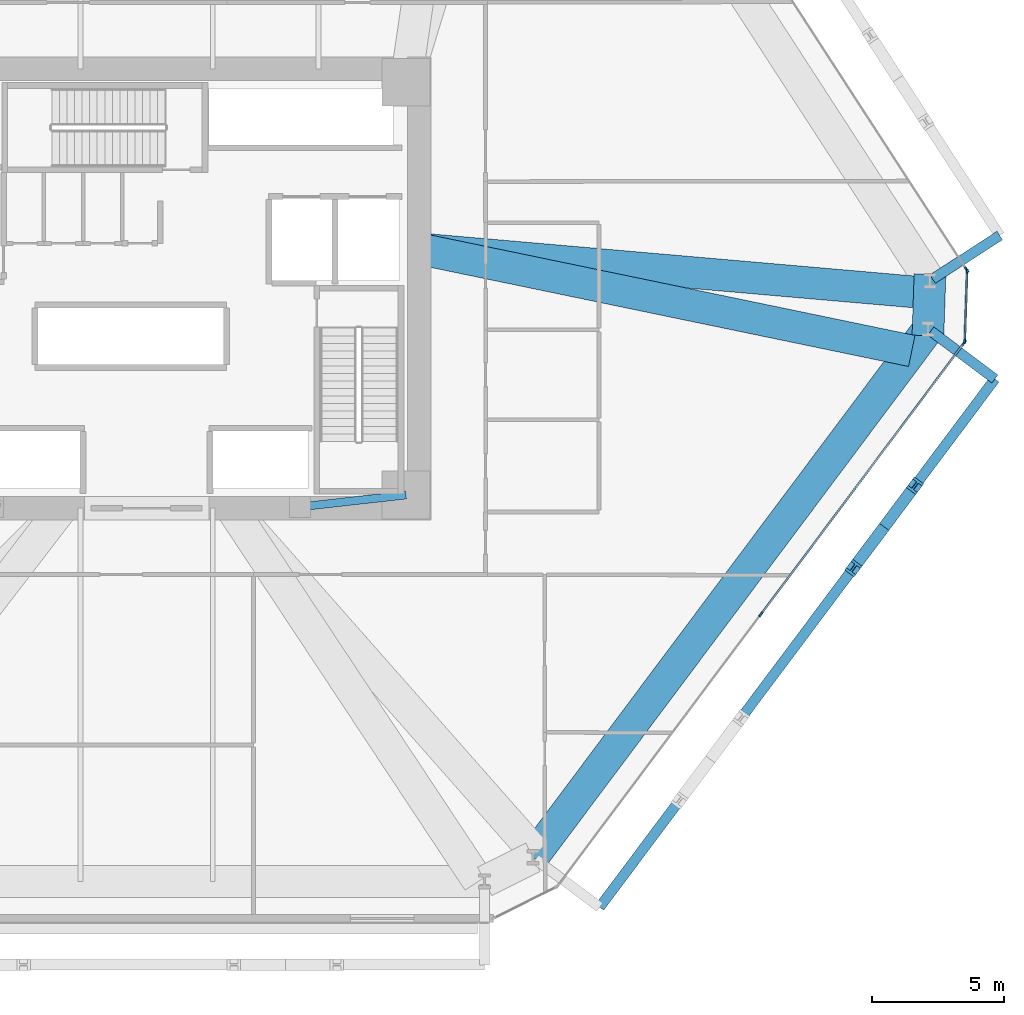
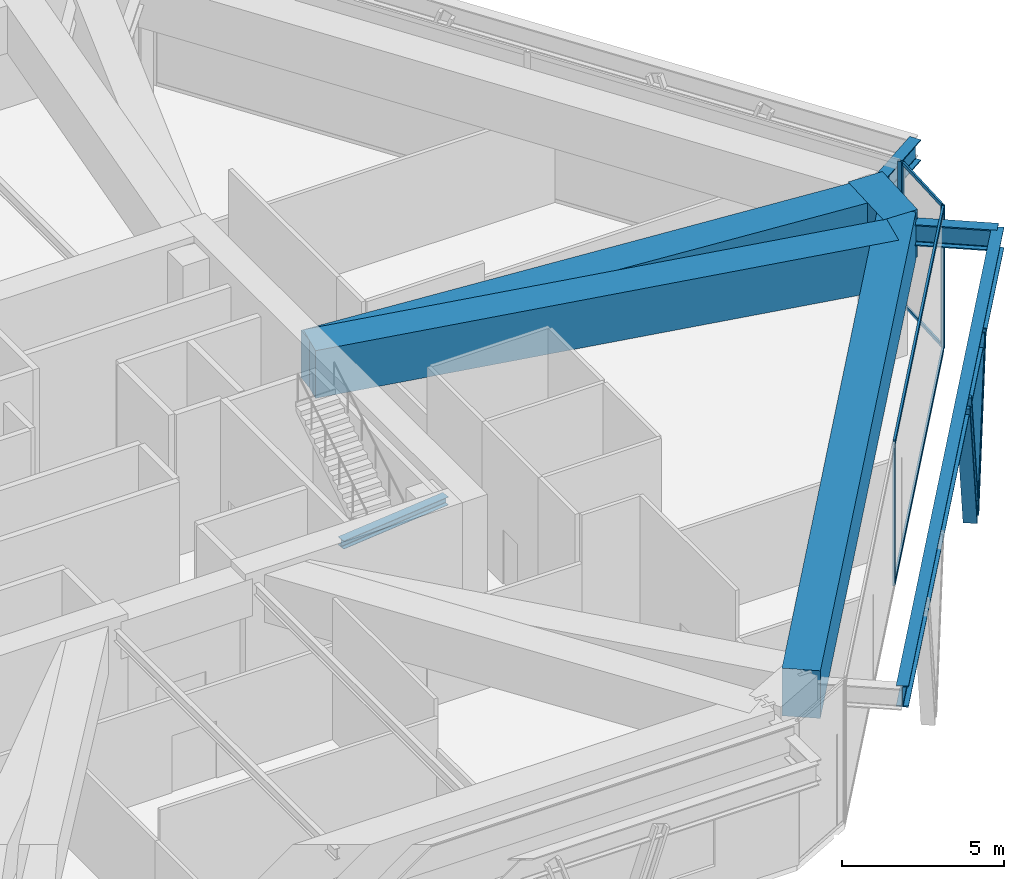
# One storey, part 6 of 19: 11 members, 8 beams, 3 elements without a shape of their own.
"""IFC4 building model written with IfcOpenShell, lengths in metres."""

import ifcopenshell
import ifcopenshell.guid

model = None  # the IFC model being written
_history = None  # IfcOwnerHistory: only IFC2X3 demands one
_inside = {}  # id of a spatial element -> (the spatial element, [elements in it])
_under = {}  # id of a project, library or spatial element -> (it, [spatial elements below it])
_declared = {}  # id of a project -> (the project, [libraries it declares])
_typed = {}  # id of a type object -> (the type object, [elements of that type])
_made_of = {}  # id of a material, layer set ... -> (it, [elements and type objects made of it])


def new_model(schema):
    """Start an empty IFC model of exactly this schema.

    Asked for "IFC4X3", IfcOpenShell would pick the latest addendum, in which some entities
    have other attributes; the version numbers below select the first issue.
    IFC2X3 requires an IfcOwnerHistory on every rooted entity: one is made here for all.
    """
    global model, _history
    if schema == "IFC4X3":
        model = ifcopenshell.file(schema_version=(4, 3, 0, 0))
    else:
        model = ifcopenshell.file(schema=schema)
    _inside.clear()
    _under.clear()
    _declared.clear()
    _typed.clear()
    _made_of.clear()
    _history = None
    if model.schema == "IFC2X3":
        org = make("IfcOrganization", Name="unknown")
        user = make(
            "IfcPersonAndOrganization",
            ThePerson=make("IfcPerson", FamilyName="unknown"),
            TheOrganization=org,
        )
        app = make(
            "IfcApplication",
            ApplicationDeveloper=org,
            Version="unknown",
            ApplicationFullName="unknown",
            ApplicationIdentifier="unknown",
        )
        _history = make(
            "IfcOwnerHistory",
            OwningUser=user,
            OwningApplication=app,
            ChangeAction="ADDED",
            CreationDate=0,
        )
    return model


def make(cls, **values):
    """One entity of the class cls with the attributes given. An attribute that is None is left unset."""
    return model.create_entity(
        cls, **{name: value for name, value in values.items() if value is not None}
    )


def rooted(cls, **values):
    """An entity with a GlobalId (a new one), such as an element, a storey or a relation."""
    return make(cls, GlobalId=ifcopenshell.guid.new(), OwnerHistory=_history, **values)


def si_unit(unit_type, name, prefix=None):
    """IfcSIUnit, for example si_unit("LENGTHUNIT", "METRE", prefix="MILLI")."""
    return make("IfcSIUnit", UnitType=unit_type, Prefix=prefix, Name=name)


def assignment(units):
    """IfcUnitAssignment: the units of a project."""
    return None if units is None else make("IfcUnitAssignment", Units=units)


def point(xyz):
    """IfcCartesianPoint."""
    return None if xyz is None else make("IfcCartesianPoint", Coordinates=xyz)


def direction(xyz):
    """IfcDirection."""
    return None if xyz is None else make("IfcDirection", DirectionRatios=xyz)


def frame(location, z_axis=None, x_axis=None):
    """IfcAxis2Placement3D, a coordinate frame: its origin and axes. An axis left out is left unset."""
    return make(
        "IfcAxis2Placement3D",
        Location=point(location),
        Axis=direction(z_axis),
        RefDirection=direction(x_axis),
    )


def frame_2d(location, x_axis=None):
    """IfcAxis2Placement2D, a coordinate frame in the plane: its origin and x axis."""
    return make(
        "IfcAxis2Placement2D", Location=point(location), RefDirection=direction(x_axis)
    )


def origin():
    """The frame at (0, 0, 0) with its axes left unset."""
    return frame((0.0, 0.0, 0.0))


def origin_2d():
    """The frame at (0, 0) in the plane with its x axis left unset."""
    return frame_2d((0.0, 0.0))


def place(relative_to, where):
    """IfcLocalPlacement: puts the frame where relative to a parent placement (None: the world)."""
    return make(
        "IfcLocalPlacement", PlacementRelTo=relative_to, RelativePlacement=where
    )


def context(
    kind, dimensions, precision=None, world=None, true_north=None, identifier=None
):
    """IfcGeometricRepresentationContext, for example the 3D "Model" context."""
    return make(
        "IfcGeometricRepresentationContext",
        ContextIdentifier=identifier,
        ContextType=kind,
        CoordinateSpaceDimension=dimensions,
        Precision=precision,
        WorldCoordinateSystem=world,
        TrueNorth=true_north,
    )


def subcontext(parent, identifier, kind, view, scale=None):
    """IfcGeometricRepresentationSubContext, for example "Body" below "Model"."""
    return make(
        "IfcGeometricRepresentationSubContext",
        ContextIdentifier=identifier,
        ContextType=kind,
        ParentContext=parent,
        TargetScale=scale,
        TargetView=view,
    )


def project(units=None, contexts=None):
    """IfcProject with its units and contexts."""
    return rooted(
        "IfcProject",
        Name="project",
        RepresentationContexts=contexts,
        UnitsInContext=assignment(units),
    )


def spatial(cls, under=None, at=None, **own):
    """A site, building, storey or space (cls), placed at a placement, below another one or the project."""
    s = rooted(cls, ObjectPlacement=at, **own)
    if under is not None:
        _under.setdefault(under.id(), (under, []))[1].append(s)
    return s


def profile(cls, at=None, kind="AREA", **sizes):
    """A parametric profile (cls). Its sizes go by their IFC names, for example OverallWidth=200.0."""
    return make(cls, ProfileType=kind, Position=at, **sizes)


def rectangle(**sizes):
    """IfcRectangleProfileDef."""
    return profile("IfcRectangleProfileDef", **sizes)


def i_section(**sizes):
    """IfcIShapeProfileDef."""
    return profile("IfcIShapeProfileDef", **sizes)


def extrude(swept, where, along, depth):
    """IfcExtrudedAreaSolid: the profile swept, set in the frame where, extruded along a direction by depth."""
    return make(
        "IfcExtrudedAreaSolid",
        SweptArea=swept,
        Position=where,
        ExtrudedDirection=direction(along),
        Depth=depth,
    )


def shape(context_of_items, identifier, shape_type, items):
    """IfcShapeRepresentation: the items that make up one representation, for example the "Body"."""
    return make(
        "IfcShapeRepresentation",
        ContextOfItems=context_of_items,
        RepresentationIdentifier=identifier,
        RepresentationType=shape_type,
        Items=items,
    )


def source(mapping_origin, context_of_items, identifier, shape_type, items):
    """IfcRepresentationMap: a shape defined once, which mapped items show again and again."""
    return make(
        "IfcRepresentationMap",
        MappingOrigin=mapping_origin,
        MappedRepresentation=shape(context_of_items, identifier, shape_type, items),
    )


def transform(
    local_origin,
    x_axis=None,
    y_axis=None,
    z_axis=None,
    scale=None,
    scale2=None,
    scale3=None,
    uniform=True,
):
    """IfcCartesianTransformationOperator3D, or its non-uniform kind. x_axis, y_axis, z_axis: its Axis1, 2, 3."""
    if uniform:
        return make(
            "IfcCartesianTransformationOperator3D",
            Axis1=direction(x_axis),
            Axis2=direction(y_axis),
            LocalOrigin=point(local_origin),
            Scale=scale,
            Axis3=direction(z_axis),
        )
    return make(
        "IfcCartesianTransformationOperator3DnonUniform",
        Axis1=direction(x_axis),
        Axis2=direction(y_axis),
        LocalOrigin=point(local_origin),
        Scale=scale,
        Axis3=direction(z_axis),
        Scale2=scale2,
        Scale3=scale3,
    )


def mapped(mapping_source, mapping_target):
    """IfcMappedItem: shows the shape of a source again, moved by a transform."""
    return make(
        "IfcMappedItem", MappingSource=mapping_source, MappingTarget=mapping_target
    )


def material(Name=None, Category=None):
    """IfcMaterial."""
    return make("IfcMaterial", Name=Name, Category=Category)


def layer(
    of_material, thickness, ventilated=None, Name=None, Category=None, Priority=None
):
    """IfcMaterialLayer: one layer of a wall or slab, of a material (None: an air gap)."""
    return make(
        "IfcMaterialLayer",
        Material=of_material,
        LayerThickness=thickness,
        IsVentilated=ventilated,
        Name=Name,
        Category=Category,
        Priority=Priority,
    )


def layer_set(layers, Name=None):
    """IfcMaterialLayerSet."""
    return make("IfcMaterialLayerSet", MaterialLayers=layers, LayerSetName=Name)


def material_profile(
    of_material, cross_section, Name=None, Category=None, Priority=None
):
    """IfcMaterialProfile: a cross section and its material."""
    return make(
        "IfcMaterialProfile",
        Name=Name,
        Material=of_material,
        Profile=cross_section,
        Priority=Priority,
        Category=Category,
    )


def profile_set(profiles, Name=None, composite=None):
    """IfcMaterialProfileSet."""
    return make(
        "IfcMaterialProfileSet",
        Name=Name,
        MaterialProfiles=profiles,
        CompositeProfile=composite,
    )


def made_of(thing, what):
    """Note that an element or type object is made of a material, layer set ...; save() writes the relation."""
    if what is not None:
        _made_of.setdefault(what.id(), (what, []))[1].append(thing)
    return thing


def type_object(cls, material=None, **own):
    """A type object (cls), such as IfcWallType, which elements share."""
    return made_of(rooted(cls, **own), material)


def type_shapes(of_type, sources):
    """Give a type object the sources (RepresentationMaps) that its elements show as mapped items."""
    of_type.RepresentationMaps = sources


def element(
    cls,
    number,
    at=None,
    inside=None,
    cuts=None,
    type_object=None,
    material=None,
    context=None,
    identifier="Body",
    shape_type=None,
    held_by="IfcProductDefinitionShape",
    body=None,
    shapes=None,
    **own,
):
    """One element of the class cls, such as IfcWall. Its Tag is "e" and its number.

    at: its placement. inside: the storey or other place that contains it. cuts: it is an
    opening in that element (IfcRelVoidsElement). A single representation is given by context,
    identifier, shape_type and body (its items); several are given by shapes. held_by: the class
    of the entity that holds the representations. save() writes the other relations.
    """
    e = rooted(cls, Tag="e%d" % number, ObjectPlacement=at, **own)
    if body is not None:
        shapes = [shape(context, identifier, shape_type, body)]
    if shapes is not None:
        e.Representation = make(held_by, Representations=shapes)
    if inside is not None:
        _inside.setdefault(inside.id(), (inside, []))[1].append(e)
    if cuts is not None:
        rooted(
            "IfcRelVoidsElement", RelatingBuildingElement=cuts, RelatedOpeningElement=e
        )
    if type_object is not None:
        _typed.setdefault(type_object.id(), (type_object, []))[1].append(e)
    return made_of(e, material)


def aggregate(whole, parts):
    """IfcRelAggregates: a whole, such as a stair, and the parts it consists of."""
    return rooted("IfcRelAggregates", RelatingObject=whole, RelatedObjects=parts)


def save(model, path):
    """Write the relations noted so far, then the file.

    IfcRelAggregates (storeys below a building ...), IfcRelContainedInSpatialStructure (elements
    in a storey), IfcRelDefinesByType, IfcRelAssociatesMaterial and IfcRelDeclares: one each for
    every whole, place, type object, material and project.
    """
    for whole, parts in _under.values():
        aggregate(whole, parts)
    for where, things in _inside.values():
        rooted(
            "IfcRelContainedInSpatialStructure",
            RelatedElements=things,
            RelatingStructure=where,
        )
    for kind, things in _typed.values():
        rooted("IfcRelDefinesByType", RelatedObjects=things, RelatingType=kind)
    for what, things in _made_of.values():
        rooted("IfcRelAssociatesMaterial", RelatedObjects=things, RelatingMaterial=what)
    for by, libraries in _declared.values():
        rooted("IfcRelDeclares", RelatingContext=by, RelatedDefinitions=libraries)
    model.write(path)


model = new_model("IFC4")

# Units and contexts
model_context = context("Model", 3, precision=1e-05, world=origin(), true_north=direction((0.0, 1.0)))
body_context = subcontext(model_context, "Body", "Model", "MODEL_VIEW")
ifc_project = project(units=[si_unit("LENGTHUNIT", "METRE"), si_unit("AREAUNIT", "SQUARE_METRE"), si_unit("VOLUMEUNIT", "CUBIC_METRE"), si_unit("PLANEANGLEUNIT", "RADIAN"), si_unit("MASSUNIT", "GRAM", prefix="KILO")], contexts=[model_context])

# Site, building, storey
site_placement = place(None, origin())
site = spatial("IfcSite", under=ifc_project, at=site_placement, CompositionType="ELEMENT")
building_placement = place(site_placement, origin())
building = spatial("IfcBuilding", under=site, at=building_placement, Name="Durnholm Broadcast Tower", CompositionType="ELEMENT")
storey_placement = place(building_placement, frame((0.0, 0.0, 26.800048828125)))
storey = spatial("IfcBuildingStorey", under=building, at=storey_placement, Name="L05", CompositionType="ELEMENT", Elevation=26.800048828125)

# Beams
ifc_material_1 = material(Name="Steel ASTM A992 Grade 50", Category="steel")
ifc_material_profile_1 = material_profile(ifc_material_1, i_section(OverallWidth=0.3046875, OverallDepth=0.307861328125, WebThickness=0.010009765625, FlangeThickness=0.015380859375, FilletRadius=0.019287109375, at=origin_2d()), Name="W12X65")
ifc_profile_set_1 = profile_set([ifc_material_profile_1], Name="Steel ASTM A992 Grade 50")
beam_type_1 = type_object("IfcBeamType", Name="STL-BL-W12X65", PredefinedType="LINTEL", material=ifc_profile_set_1)
shared_shape_1 = source(origin(), body_context, "Body", "SweptSolid", [
    extrude(i_section(OverallWidth=0.3046875, OverallDepth=0.307861328125, WebThickness=0.010009765625, FlangeThickness=0.015380859375, FilletRadius=0.019287109375, at=origin_2d()), origin(), (0.0, 0.0, 1.0), 4.025146484375),
])
type_shapes(beam_type_1, [shared_shape_1])
beam_1_placement = place(storey_placement, frame((9.800048828125, -7.800048828125, 5.191162109375), z_axis=(-0.993732663715, -0.111782794142, 0.0), x_axis=(0.111782794142, -0.993732663715, 0.0)))
element("IfcBeam", 1, at=beam_1_placement, inside=storey, type_object=beam_type_1, Name="L05 east pilaster tie lintel", PredefinedType="LINTEL", context=body_context, shape_type="MappedRepresentation", body=[
    mapped(shared_shape_1, transform((0.0, 0.0, 0.0), x_axis=(1.0, 0.0, 0.0), y_axis=(0.0, 1.0, 0.0), z_axis=(0.0, 0.0, 1.0), scale=1.0)),
])
ifc_material_profile_2 = material_profile(ifc_material_1, i_section(OverallWidth=0.385009765625, OverallDepth=0.802978515625, WebThickness=0.023681640625, FlangeThickness=0.0419921875, FilletRadius=0.032958984375, at=origin_2d()), Name="W30X261")
ifc_profile_set_2 = profile_set([ifc_material_profile_2], Name="Steel ASTM A992 Grade 50")
beam_type_2 = type_object("IfcBeamType", Name="BM-EXO-TIE", PredefinedType="USERDEFINED", material=ifc_profile_set_2)
shared_shape_2 = source(origin(), body_context, "Body", "SweptSolid", [
    extrude(i_section(OverallWidth=0.385009765625, OverallDepth=0.802978515625, WebThickness=0.023681640625, FlangeThickness=0.0419921875, FilletRadius=0.032958984375, at=origin_2d()), origin(), (0.0, 0.0, 1.0), 3.024169921875),
])
beam_2_placement = place(storey_placement, frame((29.63037109375, -1.60595703125, 4.6083984375), z_axis=(0.800609912919, -0.599185920509, 0.0), x_axis=(0.599185920509, 0.800609912919, 0.0)))
element("IfcBeam", 2, at=beam_2_placement, inside=storey, type_object=beam_type_2, Name="L05 exoskeleton stand-off tie bracket F2.2", ObjectType="GIRDER", PredefinedType="USERDEFINED", context=body_context, shape_type="MappedRepresentation", body=[
    mapped(shared_shape_2, transform((0.0, 0.0, 0.0), x_axis=(1.0, 0.0, 0.0), y_axis=(0.0, 1.0, 0.0), z_axis=(0.0, 0.0, 1.0), scale=1.0)),
])
shared_shape_3 = source(origin(), body_context, "Body", "SweptSolid", [
    extrude(i_section(OverallWidth=0.385009765625, OverallDepth=0.802978515625, WebThickness=0.023681640625, FlangeThickness=0.0419921875, FilletRadius=0.032958984375, at=origin_2d()), origin(), (0.0, 0.0, 1.0), 24.9267578125),
])
beam_3_placement = place(storey_placement, frame((17.116455078125, -23.375, 4.6083984375), z_axis=(0.599159705628, 0.800629531776, 0.0), x_axis=(-0.800629531776, 0.599159705628, 0.0)))
element("IfcBeam", 3, at=beam_3_placement, inside=storey, type_object=beam_type_2, Name="L05 exoskeleton collector spandrel F2", PredefinedType="SPANDREL", context=body_context, shape_type="MappedRepresentation", body=[
    mapped(shared_shape_3, transform((0.0, 0.0, 0.0), x_axis=(1.0, 0.0, 0.0), y_axis=(0.0, 1.0, 0.0), z_axis=(0.0, 0.0, 1.0), scale=1.0)),
])
shared_shape_4 = source(origin(), body_context, "Body", "SweptSolid", [
    extrude(i_section(OverallWidth=0.385009765625, OverallDepth=0.802978515625, WebThickness=0.023681640625, FlangeThickness=0.0419921875, FilletRadius=0.032958984375, at=origin_2d()), origin(), (0.0, 0.0, 1.0), 3.02392578125),
])
type_shapes(beam_type_2, [shared_shape_2, shared_shape_3, shared_shape_4])
beam_4_placement = place(storey_placement, frame((29.6962890625, 0.357177734375, 4.6083984375), z_axis=(0.838989179675, 0.544148101521, 0.0), x_axis=(-0.544148101521, 0.838989179675, 0.0)))
element("IfcBeam", 4, at=beam_4_placement, inside=storey, type_object=beam_type_2, Name="L05 exoskeleton stand-off tie bracket F3.1", ObjectType="GIRDER", PredefinedType="USERDEFINED", context=body_context, shape_type="MappedRepresentation", body=[
    mapped(shared_shape_4, transform((0.0, 0.0, 0.0), x_axis=(1.0, 0.0, 0.0), y_axis=(0.0, 1.0, 0.0), z_axis=(0.0, 0.0, 1.0), scale=1.0)),
])
ifc_material_2 = material(Name="Concrete C70/85", Category="concrete")
ifc_material_profile_3 = material_profile(ifc_material_2, rectangle(XDim=1.199951171875, YDim=1.800048828125, at=origin_2d()), Name="RC1200X1800")
ifc_profile_set_3 = profile_set([ifc_material_profile_3], Name="Concrete C70/85")
beam_type_3 = type_object("IfcBeamType", Name="BM-TG-RC1800", PredefinedType="USERDEFINED", material=ifc_profile_set_3)
shared_shape_5 = source(origin(), body_context, "Body", "SweptSolid", [
    extrude(rectangle(XDim=1.199951171875, YDim=1.800048828125, at=origin_2d()), origin(), (0.0, 0.0, 1.0), 2.3203125),
])
beam_5_placement = place(storey_placement, frame((29.598876953125, 0.53857421875, 4.4599609375), z_axis=(-0.033563561491, -0.999436584952, 0.0), x_axis=(0.999436584952, -0.033563561491, 0.0)))
element("IfcBeam", 5, at=beam_5_placement, inside=storey, type_object=beam_type_3, Name="L05 perimeter transfer spandrel girder 08", PredefinedType="SPANDREL", context=body_context, shape_type="MappedRepresentation", body=[
    mapped(shared_shape_5, transform((0.0, 0.0, 0.0), x_axis=(1.0, 0.0, 0.0), y_axis=(0.0, 1.0, 0.0), z_axis=(0.0, 0.0, 1.0), scale=1.0)),
])
shared_shape_6 = source(origin(), body_context, "Body", "SweptSolid", [
    extrude(rectangle(XDim=1.199951171875, YDim=1.800048828125, at=origin_2d()), origin(), (0.0, 0.0, 1.0), 24.926513671875),
])
beam_6_placement = place(storey_placement, frame((29.529296875, -1.530517578125, 4.4599609375), z_axis=(-0.599153427318, -0.800634230178, 0.0), x_axis=(0.800634230178, -0.599153427318, 0.0)))
element("IfcBeam", 6, at=beam_6_placement, inside=storey, type_object=beam_type_3, Name="L05 perimeter transfer spandrel girder 09", PredefinedType="SPANDREL", context=body_context, shape_type="MappedRepresentation", body=[
    mapped(shared_shape_6, transform((0.0, 0.0, 0.0), x_axis=(1.0, 0.0, 0.0), y_axis=(0.0, 1.0, 0.0), z_axis=(0.0, 0.0, 1.0), scale=1.0)),
])
shared_shape_7 = source(origin(), body_context, "Body", "SweptSolid", [
    extrude(rectangle(XDim=1.199951171875, YDim=1.800048828125, at=origin_2d()), origin(), (0.0, 0.0, 1.0), 19.347412109375),
])
beam_7_placement = place(storey_placement, frame((10.300048828125, 1.5, 4.4599609375), z_axis=(0.996234193269, -0.0867031266, 0.0), x_axis=(0.0867031266, 0.996234193269, 0.0)))
element("IfcBeam", 7, at=beam_7_placement, inside=storey, type_object=beam_type_3, Name="L05 radial setback transfer girder 08", ObjectType="GIRDER", PredefinedType="USERDEFINED", context=body_context, shape_type="MappedRepresentation", body=[
    mapped(shared_shape_7, transform((0.0, 0.0, 0.0), x_axis=(1.0, 0.0, 0.0), y_axis=(0.0, 1.0, 0.0), z_axis=(0.0, 0.0, 1.0), scale=1.0)),
])
shared_shape_8 = source(origin(), body_context, "Body", "SweptSolid", [
    extrude(rectangle(XDim=1.199951171875, YDim=1.800048828125, at=origin_2d()), origin(), (0.0, 0.0, 1.0), 19.005859375),
])
type_shapes(beam_type_3, [shared_shape_5, shared_shape_6, shared_shape_7, shared_shape_8])
beam_8_placement = place(storey_placement, frame((10.300048828125, 1.5, 4.4599609375), z_axis=(0.979181602162, -0.202986181765, 0.0), x_axis=(0.202986181765, 0.979181602162, 0.0)))
element("IfcBeam", 8, at=beam_8_placement, inside=storey, type_object=beam_type_3, Name="L05 radial setback transfer girder 09", ObjectType="GIRDER", PredefinedType="USERDEFINED", context=body_context, shape_type="MappedRepresentation", body=[
    mapped(shared_shape_8, transform((0.0, 0.0, 0.0), x_axis=(1.0, 0.0, 0.0), y_axis=(0.0, 1.0, 0.0), z_axis=(0.0, 0.0, 1.0), scale=1.0)),
])

# Members
ifc_material_3 = material(Name="Steel ASTM A913 Grade 65", Category="steel")
ifc_material_profile_4 = material_profile(ifc_material_3, i_section(OverallWidth=0.44189453125, OverallDepth=0.531494140625, WebThickness=0.06591796875, FlangeThickness=0.105712890625, FilletRadius=0.030517578125, at=origin_2d()), Name="W14X605")
ifc_profile_set_4 = profile_set([ifc_material_profile_4], Name="Steel ASTM A913 Grade 65")
member_type_1 = type_object("IfcMemberType", Name="STL-DG-W14X605", PredefinedType="BRACE", material=ifc_profile_set_4)
shared_shape_9 = source(origin(), body_context, "Body", "SweptSolid", [
    extrude(i_section(OverallWidth=0.44189453125, OverallDepth=0.531494140625, WebThickness=0.06591796875, FlangeThickness=0.105712890625, FilletRadius=0.030517578125, at=origin_2d()), origin(), (0.0, 0.0, 1.0), 6.00341796875),
])
type_shapes(member_type_1, [shared_shape_9])
for number, where, z_axis, x_axis, name in (
    (9, (27.86962890625, -9.005859375, -1.071533203125), (-0.19402068597, -0.259290692464, 0.946110094131), (0.800662544514, -0.599115589692, 0.0), "L05 stand-off diagrid brace F2.D2.1"),
    (10, (27.86962890625, -9.005859375, -1.071533203125), (0.19402068597, 0.259290692464, 0.946110094131), (-0.800662544514, 0.599115589692, 0.0), "L05 stand-off diagrid brace F2.D2.2"),
):
    element("IfcMember", number, at=place(storey_placement, frame(where, z_axis=z_axis, x_axis=x_axis)), inside=storey, type_object=member_type_1, Name=name, PredefinedType="BRACE", context=body_context, shape_type="MappedRepresentation", body=[
        mapped(shared_shape_9, transform((0.0, 0.0, 0.0), x_axis=(1.0, 0.0, 0.0), y_axis=(0.0, 1.0, 0.0), z_axis=(0.0, 0.0, 1.0), scale=1.0)),
    ])

# Curtain wall, members
ifc_material_4 = material(Name="Aluminium and Solar Control IGU", Category="aluminium")
ifc_layer_1 = layer(ifc_material_4, 0.1650390625)
ifc_layer_set_1 = layer_set([ifc_layer_1], Name="Aluminium and Solar Control IGU")
curtain_wall_type_1 = type_object("IfcCurtainWallType", Name="CW-SYS-5", PredefinedType="NOTDEFINED", material=ifc_layer_set_1)
curtain_wall_1_placement = place(storey_placement, origin())
curtain_wall_1 = element("IfcCurtainWall", 11, at=curtain_wall_1_placement, inside=storey, type_object=curtain_wall_type_1, Name="L05 curtain wall CW-CORNER CW-L05-CRN-07", PredefinedType="NOTDEFINED")
ifc_material_5 = material(Name="Aluminium 6063-T6", Category="aluminium")
ifc_material_profile_5 = material_profile(ifc_material_5, rectangle(XDim=0.06494140625, YDim=0.1298828125, at=origin_2d()), Name="CWT65X130")
ifc_profile_set_5 = profile_set([ifc_material_profile_5], Name="Aluminium 6063-T6")
member_type_2 = type_object("IfcMemberType", Name="CW-SYS-5-TRN", PredefinedType="USERDEFINED", material=ifc_profile_set_5)
shared_shape_10 = source(origin(), body_context, "Body", "SweptSolid", [
    extrude(rectangle(XDim=0.06494140625, YDim=0.1298828125, at=origin_2d()), origin(), (0.0, 0.0, 1.0), 2.570068359375),
])
type_shapes(member_type_2, [shared_shape_10])
member_1_placement = place(storey_placement, frame((31.002197265625, 0.616455078125, 0.032470703125), z_axis=(-0.033533074398, -0.999437608319, 0.0), x_axis=(0.999437608319, -0.033533074398, 0.0)))
member_1 = element("IfcMember", 12, at=member_1_placement, type_object=member_type_2, Name="CW-CORNER transom 1.1", ObjectType="TRANSOM", PredefinedType="USERDEFINED", context=body_context, shape_type="MappedRepresentation", body=[
    mapped(shared_shape_10, transform((0.0, 0.0, 0.0), x_axis=(1.0, 0.0, 0.0), y_axis=(0.0, 1.0, 0.0), z_axis=(0.0, 0.0, 1.0), scale=1.0)),
])
member_2_placement = place(storey_placement, frame((31.002197265625, 0.616455078125, 5.327392578125), z_axis=(-0.033533074398, -0.999437608319, 0.0), x_axis=(0.999437608319, -0.033533074398, 0.0)))
member_2 = element("IfcMember", 13, at=member_2_placement, type_object=member_type_2, Name="CW-CORNER transom 1.2", ObjectType="TRANSOM", PredefinedType="USERDEFINED", context=body_context, shape_type="MappedRepresentation", body=[
    mapped(shared_shape_10, transform((0.0, 0.0, 0.0), x_axis=(1.0, 0.0, 0.0), y_axis=(0.0, 1.0, 0.0), z_axis=(0.0, 0.0, 1.0), scale=1.0)),
])

ifc_layer_2 = layer(ifc_material_4, 0.219970703125)
ifc_layer_set_2 = layer_set([ifc_layer_2], Name="Aluminium and Solar Control IGU")
curtain_wall_type_2 = type_object("IfcCurtainWallType", Name="CW-SYS-2", PredefinedType="NOTDEFINED", material=ifc_layer_set_2)
curtain_wall_2_placement = place(storey_placement, origin())
curtain_wall_2 = element("IfcCurtainWall", 14, at=curtain_wall_2_placement, inside=storey, type_object=curtain_wall_type_2, Name="L05 curtain wall CW-STUDIO CW-L05-F08", PredefinedType="NOTDEFINED")
ifc_material_profile_6 = material_profile(ifc_material_5, rectangle(XDim=0.074951171875, YDim=0.179931640625, at=origin_2d()), Name="CWT75X180")
ifc_profile_set_6 = profile_set([ifc_material_profile_6], Name="Aluminium 6063-T6")
member_type_3 = type_object("IfcMemberType", Name="CW-SYS-2-TRN", PredefinedType="USERDEFINED", material=ifc_profile_set_6)
shared_shape_11 = source(origin(), body_context, "Body", "SweptSolid", [
    extrude(rectangle(XDim=0.074951171875, YDim=0.179931640625, at=origin_2d()), origin(), (0.0, 0.0, 1.0), 12.736083984375),
])
type_shapes(member_type_3, [shared_shape_11])
member_3_placement = place(storey_placement, frame((30.868896484375, -2.0771484375, 0.037353515625), z_axis=(-0.599150086167, -0.800636730513, 0.0), x_axis=(0.800636730513, -0.599150086167, 0.0)))
member_3 = element("IfcMember", 15, at=member_3_placement, type_object=member_type_3, Name="CW-STUDIO transom 1.1", ObjectType="TRANSOM", PredefinedType="USERDEFINED", context=body_context, shape_type="MappedRepresentation", body=[
    mapped(shared_shape_11, transform((0.0, 0.0, 0.0), x_axis=(1.0, 0.0, 0.0), y_axis=(0.0, 1.0, 0.0), z_axis=(0.0, 0.0, 1.0), scale=1.0)),
])
member_4_placement = place(storey_placement, frame((30.868896484375, -2.0771484375, 5.322509765625), z_axis=(-0.599150086167, -0.800636730513, 0.0), x_axis=(0.800636730513, -0.599150086167, 0.0)))
member_4 = element("IfcMember", 16, at=member_4_placement, type_object=member_type_3, Name="CW-STUDIO transom 1.2", ObjectType="TRANSOM", PredefinedType="USERDEFINED", context=body_context, shape_type="MappedRepresentation", body=[
    mapped(shared_shape_11, transform((0.0, 0.0, 0.0), x_axis=(1.0, 0.0, 0.0), y_axis=(0.0, 1.0, 0.0), z_axis=(0.0, 0.0, 1.0), scale=1.0)),
])

# Member
ifc_material_profile_7 = material_profile(ifc_material_5, rectangle(XDim=0.06494140625, YDim=0.1650390625, at=origin_2d()), Name="CWM65X165")
ifc_profile_set_7 = profile_set([ifc_material_profile_7], Name="Aluminium 6063-T6")
member_type_4 = type_object("IfcMemberType", Name="CW-SYS-5-MUL", PredefinedType="MULLION", material=ifc_profile_set_7)
shared_shape_12 = source(origin(), body_context, "Body", "SweptSolid", [
    extrude(rectangle(XDim=0.06494140625, YDim=0.1650390625, at=origin_2d()), origin(), (0.0, 0.0, 1.0), 5.35986328125),
])
type_shapes(member_type_4, [shared_shape_12])
member_5_placement = place(storey_placement, frame((31.00341796875, 0.64892578125, 0.0), z_axis=(0.0, 0.0, 1.0), x_axis=(0.999436820621, -0.033556543118, 0.0)))
member_5 = element("IfcMember", 17, at=member_5_placement, type_object=member_type_4, Name="CW-CORNER mullion 1", PredefinedType="MULLION", context=body_context, shape_type="MappedRepresentation", body=[
    mapped(shared_shape_12, transform((0.0, 0.0, 0.0), x_axis=(1.0, 0.0, 0.0), y_axis=(0.0, 1.0, 0.0), z_axis=(0.0, 0.0, 1.0), scale=1.0)),
])

member_6_placement = place(storey_placement, frame((30.9150390625, -1.984619140625, 0.0), z_axis=(0.0, 0.0, 1.0), x_axis=(0.999436820621, -0.033556543118, 0.0)))
member_6 = element("IfcMember", 18, at=member_6_placement, type_object=member_type_4, Name="CW-CORNER mullion 2", PredefinedType="MULLION", context=body_context, shape_type="MappedRepresentation", body=[
    mapped(shared_shape_12, transform((0.0, 0.0, 0.0), x_axis=(1.0, 0.0, 0.0), y_axis=(0.0, 1.0, 0.0), z_axis=(0.0, 0.0, 1.0), scale=1.0)),
])

aggregate(curtain_wall_1, [member_5, member_6, member_1, member_2])

# Curtain wall, member
curtain_wall_3_placement = place(storey_placement, origin())
curtain_wall_3 = element("IfcCurtainWall", 19, at=curtain_wall_3_placement, inside=storey, type_object=curtain_wall_type_2, Name="L05 curtain wall CW-STUDIO CW-L05-F06", PredefinedType="NOTDEFINED")
ifc_material_profile_8 = material_profile(ifc_material_5, rectangle(XDim=0.074951171875, YDim=0.219970703125, at=origin_2d()), Name="CWM75X220")
ifc_profile_set_8 = profile_set([ifc_material_profile_8], Name="Aluminium 6063-T6")
member_type_5 = type_object("IfcMemberType", Name="CW-SYS-2-MUL", PredefinedType="MULLION", material=ifc_profile_set_8)
shared_shape_13 = source(origin(), body_context, "Body", "SweptSolid", [
    extrude(rectangle(XDim=0.074951171875, YDim=0.219970703125, at=origin_2d()), origin(), (0.0, 0.0, 1.0), 5.35986328125),
])
type_shapes(member_type_5, [shared_shape_13])
member_7_placement = place(storey_placement, frame((30.984130859375, 0.712646484375, 0.0), z_axis=(0.0, 0.0, 1.0), x_axis=(0.839009373297, 0.544116964926, 0.0)))
member_7 = element("IfcMember", 20, at=member_7_placement, type_object=member_type_5, Name="CW-STUDIO mullion 3", PredefinedType="MULLION", context=body_context, shape_type="MappedRepresentation", body=[
    mapped(shared_shape_13, transform((0.0, 0.0, 0.0), x_axis=(1.0, 0.0, 0.0), y_axis=(0.0, 1.0, 0.0), z_axis=(0.0, 0.0, 1.0), scale=1.0)),
])
aggregate(curtain_wall_3, [member_7])

# Member
member_8_placement = place(storey_placement, frame((30.891357421875, -2.047119140625, 0.0), z_axis=(0.0, 0.0, 1.0), x_axis=(0.800631836327, -0.59915662615, 0.0)))
member_8 = element("IfcMember", 21, at=member_8_placement, type_object=member_type_5, Name="CW-STUDIO mullion 1", PredefinedType="MULLION", context=body_context, shape_type="MappedRepresentation", body=[
    mapped(shared_shape_13, transform((0.0, 0.0, 0.0), x_axis=(1.0, 0.0, 0.0), y_axis=(0.0, 1.0, 0.0), z_axis=(0.0, 0.0, 1.0), scale=1.0)),
])

member_9_placement = place(storey_placement, frame((23.215576171875, -12.30419921875, 0.0), z_axis=(0.0, 0.0, 1.0), x_axis=(0.800631836327, -0.59915662615, 0.0)))
member_9 = element("IfcMember", 22, at=member_9_placement, type_object=member_type_5, Name="CW-STUDIO mullion 2", PredefinedType="MULLION", context=body_context, shape_type="MappedRepresentation", body=[
    mapped(shared_shape_13, transform((0.0, 0.0, 0.0), x_axis=(1.0, 0.0, 0.0), y_axis=(0.0, 1.0, 0.0), z_axis=(0.0, 0.0, 1.0), scale=1.0)),
])

aggregate(curtain_wall_2, [member_8, member_9, member_3, member_4])

save(model, "model.ifc")
